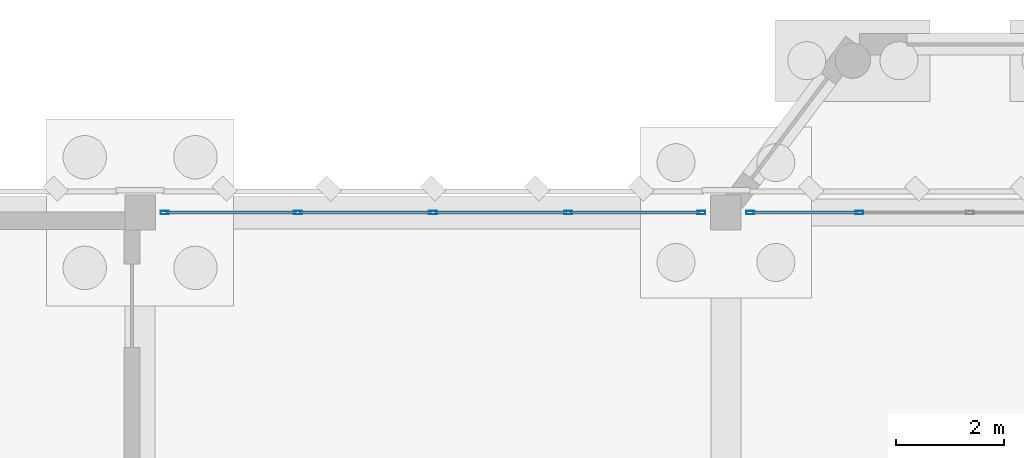
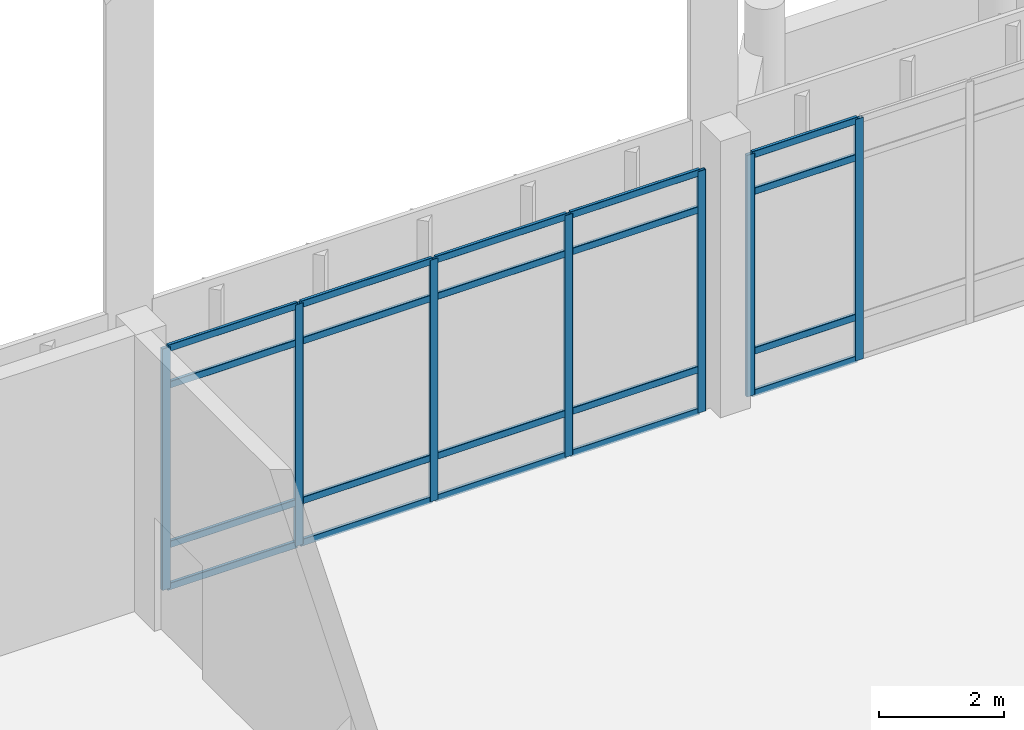
# One storey, part 53 of 109: 27 members, 2 elements without a shape of their own.
"""IFC4 building model written with IfcOpenShell, lengths in metres."""

from ifc_helpers import new_model, si_unit, direction, frame, origin, origin_2d, place, context, subcontext, project, spatial, hollow_rectangle, extrude, material, material_profile, profile_set, type_object, element, aggregate, save


model = new_model("IFC4")

# Units and contexts
model_context = context("Model", 3, precision=1e-05, world=origin(), true_north=direction((0.0, 1.0)))
body_context = subcontext(model_context, "Body", "Model", "MODEL_VIEW")
ifc_project = project(units=[si_unit("LENGTHUNIT", "METRE"), si_unit("AREAUNIT", "SQUARE_METRE"), si_unit("VOLUMEUNIT", "CUBIC_METRE"), si_unit("PLANEANGLEUNIT", "RADIAN"), si_unit("MASSUNIT", "GRAM", prefix="KILO")], contexts=[model_context])

# Site, building, storey
site_placement = place(None, origin())
site = spatial("IfcSite", under=ifc_project, at=site_placement, CompositionType="ELEMENT")
building_placement = place(site_placement, origin())
building = spatial("IfcBuilding", under=site, at=building_placement, Name="Lusvemor Sports Hall", CompositionType="ELEMENT")
storey_placement = place(building_placement, origin())
storey = spatial("IfcBuildingStorey", under=building, at=storey_placement, Name="L00", CompositionType="ELEMENT", Elevation=0.0)

# Curtain wall, members
ifc_material_1 = material(Name="Thermally broken bronze-anodized aluminium", Category="aluminium")
curtain_wall_type = type_object("IfcCurtainWallType", Name="CW_WING_B", PredefinedType="NOTDEFINED", material=ifc_material_1)
curtain_wall_1_placement = place(storey_placement, origin())
curtain_wall_1 = element("IfcCurtainWall", 1, at=curtain_wall_1_placement, inside=storey, type_object=curtain_wall_type, Name="Curtain Wall CW-L00-N-1-6", PredefinedType="NOTDEFINED")
ifc_material_2 = material(Name="Thermally broken bronze-anodized aluminium", Category="aluminium")
ifc_material_profile_1 = material_profile(ifc_material_2, hollow_rectangle(XDim=0.06494140625, YDim=0.14990234375, WallThickness=0.00390625, InnerFilletRadius=0.00390625, OuterFilletRadius=0.008056640625, at=origin_2d()), Name="CWMUL150x65x4")
ifc_profile_set_1 = profile_set([ifc_material_profile_1], Name="Thermally broken bronze-anodized aluminium")
member_type_1 = type_object("IfcMemberType", Name="CW_MUL_B", PredefinedType="MULLION", material=ifc_profile_set_1)
member_1_placement = place(storey_placement, frame((65.25244140625, 115.199951171875, 0.0), z_axis=(0.0, 0.0, 1.0), x_axis=(0.0, 1.0, 0.0)))
member_1 = element("IfcMember", 2, at=member_1_placement, type_object=member_type_1, Name="CW02 mullion 1", PredefinedType="MULLION", context=body_context, shape_type="SweptSolid", body=[
    extrude(hollow_rectangle(XDim=0.06494140625, YDim=0.14990234375, WallThickness=0.00390625, InnerFilletRadius=0.00390625, OuterFilletRadius=0.008056640625, at=origin_2d()), origin(), (0.0, 0.0, 1.0), 4.719970703125),
])
member_2_placement = place(storey_placement, frame((67.7099609375, 115.199951171875, 0.0), z_axis=(0.0, 0.0, 1.0), x_axis=(0.0, 1.0, 0.0)))
member_2 = element("IfcMember", 3, at=member_2_placement, type_object=member_type_1, Name="CW02 mullion 2", PredefinedType="MULLION", context=body_context, shape_type="SweptSolid", body=[
    extrude(hollow_rectangle(XDim=0.06494140625, YDim=0.14990234375, WallThickness=0.00390625, InnerFilletRadius=0.00390625, OuterFilletRadius=0.008056640625, at=origin_2d()), origin(), (0.0, 0.0, 1.0), 4.719970703125),
])
member_3_placement = place(storey_placement, frame((70.199951171875, 115.199951171875, 0.0), z_axis=(0.0, 0.0, 1.0), x_axis=(0.0, 1.0, 0.0)))
member_3 = element("IfcMember", 4, at=member_3_placement, type_object=member_type_1, Name="CW02 mullion 3", PredefinedType="MULLION", context=body_context, shape_type="SweptSolid", body=[
    extrude(hollow_rectangle(XDim=0.06494140625, YDim=0.14990234375, WallThickness=0.00390625, InnerFilletRadius=0.00390625, OuterFilletRadius=0.008056640625, at=origin_2d()), origin(), (0.0, 0.0, 1.0), 4.719970703125),
])
member_4_placement = place(storey_placement, frame((72.68994140625, 115.199951171875, 0.0), z_axis=(0.0, 0.0, 1.0), x_axis=(0.0, 1.0, 0.0)))
member_4 = element("IfcMember", 5, at=member_4_placement, type_object=member_type_1, Name="CW02 mullion 4", PredefinedType="MULLION", context=body_context, shape_type="SweptSolid", body=[
    extrude(hollow_rectangle(XDim=0.06494140625, YDim=0.14990234375, WallThickness=0.00390625, InnerFilletRadius=0.00390625, OuterFilletRadius=0.008056640625, at=origin_2d()), origin(), (0.0, 0.0, 1.0), 4.719970703125),
])
member_5_placement = place(storey_placement, frame((75.1474609375, 115.199951171875, 0.0), z_axis=(0.0, 0.0, 1.0), x_axis=(0.0, 1.0, 0.0)))
member_5 = element("IfcMember", 6, at=member_5_placement, type_object=member_type_1, Name="CW02 mullion 5", PredefinedType="MULLION", context=body_context, shape_type="SweptSolid", body=[
    extrude(hollow_rectangle(XDim=0.06494140625, YDim=0.14990234375, WallThickness=0.00390625, InnerFilletRadius=0.00390625, OuterFilletRadius=0.008056640625, at=origin_2d()), origin(), (0.0, 0.0, 1.0), 4.719970703125),
])

curtain_wall_2_placement = place(storey_placement, origin())
curtain_wall_2 = element("IfcCurtainWall", 7, at=curtain_wall_2_placement, inside=storey, type_object=curtain_wall_type, Name="Curtain Wall CW-L00-N-1-7", PredefinedType="NOTDEFINED")
member_6_placement = place(storey_placement, frame((76.052490234375, 115.199951171875, 0.0), z_axis=(0.0, 0.0, 1.0), x_axis=(0.0, 1.0, 0.0)))
member_6 = element("IfcMember", 8, at=member_6_placement, type_object=member_type_1, Name="CW02 mullion 1", PredefinedType="MULLION", context=body_context, shape_type="SweptSolid", body=[
    extrude(hollow_rectangle(XDim=0.06494140625, YDim=0.14990234375, WallThickness=0.00390625, InnerFilletRadius=0.00390625, OuterFilletRadius=0.008056640625, at=origin_2d()), origin(), (0.0, 0.0, 1.0), 4.719970703125),
])
member_7_placement = place(storey_placement, frame((78.06005859375, 115.199951171875, 0.0), z_axis=(0.0, 0.0, 1.0), x_axis=(0.0, 1.0, 0.0)))
member_7 = element("IfcMember", 9, at=member_7_placement, type_object=member_type_1, Name="CW02 mullion 2", PredefinedType="MULLION", context=body_context, shape_type="SweptSolid", body=[
    extrude(hollow_rectangle(XDim=0.06494140625, YDim=0.14990234375, WallThickness=0.00390625, InnerFilletRadius=0.00390625, OuterFilletRadius=0.008056640625, at=origin_2d()), origin(), (0.0, 0.0, 1.0), 4.719970703125),
])

# Member
ifc_material_3 = material(Name="Thermally broken bronze-anodized aluminium", Category="aluminium")
ifc_material_profile_2 = material_profile(ifc_material_3, hollow_rectangle(XDim=0.06005859375, YDim=0.135009765625, WallThickness=0.00390625, InnerFilletRadius=0.00390625, OuterFilletRadius=0.008056640625, at=origin_2d()), Name="CWTRN135x60x4")
ifc_profile_set_2 = profile_set([ifc_material_profile_2], Name="Thermally broken bronze-anodized aluminium")
member_type_2 = type_object("IfcMemberType", Name="CW_TRN_B", PredefinedType="USERDEFINED", material=ifc_profile_set_2)
member_8_placement = place(storey_placement, frame((65.284912109375, 115.199951171875, 0.030029296875), z_axis=(1.0, 0.0, 0.0), x_axis=(0.0, 1.0, 0.0)))
member_8 = element("IfcMember", 10, at=member_8_placement, type_object=member_type_2, Name="CW02 transom 1.1", ObjectType="TRANSOM", PredefinedType="USERDEFINED", context=body_context, shape_type="SweptSolid", body=[
    extrude(hollow_rectangle(XDim=0.06005859375, YDim=0.135009765625, WallThickness=0.00390625, InnerFilletRadius=0.00390625, OuterFilletRadius=0.008056640625, at=origin_2d()), origin(), (0.0, 0.0, 1.0), 2.392578125),
])

member_9_placement = place(storey_placement, frame((65.284912109375, 115.199951171875, 0.85009765625), z_axis=(1.0, 0.0, 0.0), x_axis=(0.0, 1.0, 0.0)))
member_9 = element("IfcMember", 11, at=member_9_placement, type_object=member_type_2, Name="CW02 transom 1.2", ObjectType="TRANSOM", PredefinedType="USERDEFINED", context=body_context, shape_type="SweptSolid", body=[
    extrude(hollow_rectangle(XDim=0.06005859375, YDim=0.135009765625, WallThickness=0.00390625, InnerFilletRadius=0.00390625, OuterFilletRadius=0.008056640625, at=origin_2d()), origin(), (0.0, 0.0, 1.0), 2.392578125),
])

member_10_placement = place(storey_placement, frame((65.284912109375, 115.199951171875, 3.969970703125), z_axis=(1.0, 0.0, 0.0), x_axis=(0.0, 1.0, 0.0)))
member_10 = element("IfcMember", 12, at=member_10_placement, type_object=member_type_2, Name="CW02 transom 1.3", ObjectType="TRANSOM", PredefinedType="USERDEFINED", context=body_context, shape_type="SweptSolid", body=[
    extrude(hollow_rectangle(XDim=0.06005859375, YDim=0.135009765625, WallThickness=0.00390625, InnerFilletRadius=0.00390625, OuterFilletRadius=0.008056640625, at=origin_2d()), origin(), (0.0, 0.0, 1.0), 2.392578125),
])

member_11_placement = place(storey_placement, frame((65.284912109375, 115.199951171875, 4.68994140625), z_axis=(1.0, 0.0, 0.0), x_axis=(0.0, 1.0, 0.0)))
member_11 = element("IfcMember", 13, at=member_11_placement, type_object=member_type_2, Name="CW02 transom 1.4", ObjectType="TRANSOM", PredefinedType="USERDEFINED", context=body_context, shape_type="SweptSolid", body=[
    extrude(hollow_rectangle(XDim=0.06005859375, YDim=0.135009765625, WallThickness=0.00390625, InnerFilletRadius=0.00390625, OuterFilletRadius=0.008056640625, at=origin_2d()), origin(), (0.0, 0.0, 1.0), 2.392578125),
])

member_12_placement = place(storey_placement, frame((67.742431640625, 115.199951171875, 0.030029296875), z_axis=(1.0, 0.0, 0.0), x_axis=(0.0, 1.0, 0.0)))
member_12 = element("IfcMember", 14, at=member_12_placement, type_object=member_type_2, Name="CW02 transom 2.1", ObjectType="TRANSOM", PredefinedType="USERDEFINED", context=body_context, shape_type="SweptSolid", body=[
    extrude(hollow_rectangle(XDim=0.06005859375, YDim=0.135009765625, WallThickness=0.00390625, InnerFilletRadius=0.00390625, OuterFilletRadius=0.008056640625, at=origin_2d()), origin(), (0.0, 0.0, 1.0), 2.425048828125),
])

member_13_placement = place(storey_placement, frame((67.742431640625, 115.199951171875, 0.85009765625), z_axis=(1.0, 0.0, 0.0), x_axis=(0.0, 1.0, 0.0)))
member_13 = element("IfcMember", 15, at=member_13_placement, type_object=member_type_2, Name="CW02 transom 2.2", ObjectType="TRANSOM", PredefinedType="USERDEFINED", context=body_context, shape_type="SweptSolid", body=[
    extrude(hollow_rectangle(XDim=0.06005859375, YDim=0.135009765625, WallThickness=0.00390625, InnerFilletRadius=0.00390625, OuterFilletRadius=0.008056640625, at=origin_2d()), origin(), (0.0, 0.0, 1.0), 2.425048828125),
])

member_14_placement = place(storey_placement, frame((67.742431640625, 115.199951171875, 3.969970703125), z_axis=(1.0, 0.0, 0.0), x_axis=(0.0, 1.0, 0.0)))
member_14 = element("IfcMember", 16, at=member_14_placement, type_object=member_type_2, Name="CW02 transom 2.3", ObjectType="TRANSOM", PredefinedType="USERDEFINED", context=body_context, shape_type="SweptSolid", body=[
    extrude(hollow_rectangle(XDim=0.06005859375, YDim=0.135009765625, WallThickness=0.00390625, InnerFilletRadius=0.00390625, OuterFilletRadius=0.008056640625, at=origin_2d()), origin(), (0.0, 0.0, 1.0), 2.425048828125),
])

member_15_placement = place(storey_placement, frame((67.742431640625, 115.199951171875, 4.68994140625), z_axis=(1.0, 0.0, 0.0), x_axis=(0.0, 1.0, 0.0)))
member_15 = element("IfcMember", 17, at=member_15_placement, type_object=member_type_2, Name="CW02 transom 2.4", ObjectType="TRANSOM", PredefinedType="USERDEFINED", context=body_context, shape_type="SweptSolid", body=[
    extrude(hollow_rectangle(XDim=0.06005859375, YDim=0.135009765625, WallThickness=0.00390625, InnerFilletRadius=0.00390625, OuterFilletRadius=0.008056640625, at=origin_2d()), origin(), (0.0, 0.0, 1.0), 2.425048828125),
])

member_16_placement = place(storey_placement, frame((70.232421875, 115.199951171875, 0.030029296875), z_axis=(1.0, 0.0, 0.0), x_axis=(0.0, 1.0, 0.0)))
member_16 = element("IfcMember", 18, at=member_16_placement, type_object=member_type_2, Name="CW02 transom 3.1", ObjectType="TRANSOM", PredefinedType="USERDEFINED", context=body_context, shape_type="SweptSolid", body=[
    extrude(hollow_rectangle(XDim=0.06005859375, YDim=0.135009765625, WallThickness=0.00390625, InnerFilletRadius=0.00390625, OuterFilletRadius=0.008056640625, at=origin_2d()), origin(), (0.0, 0.0, 1.0), 2.425048828125),
])

member_17_placement = place(storey_placement, frame((70.232421875, 115.199951171875, 0.85009765625), z_axis=(1.0, 0.0, 0.0), x_axis=(0.0, 1.0, 0.0)))
member_17 = element("IfcMember", 19, at=member_17_placement, type_object=member_type_2, Name="CW02 transom 3.2", ObjectType="TRANSOM", PredefinedType="USERDEFINED", context=body_context, shape_type="SweptSolid", body=[
    extrude(hollow_rectangle(XDim=0.06005859375, YDim=0.135009765625, WallThickness=0.00390625, InnerFilletRadius=0.00390625, OuterFilletRadius=0.008056640625, at=origin_2d()), origin(), (0.0, 0.0, 1.0), 2.425048828125),
])

member_18_placement = place(storey_placement, frame((70.232421875, 115.199951171875, 3.969970703125), z_axis=(1.0, 0.0, 0.0), x_axis=(0.0, 1.0, 0.0)))
member_18 = element("IfcMember", 20, at=member_18_placement, type_object=member_type_2, Name="CW02 transom 3.3", ObjectType="TRANSOM", PredefinedType="USERDEFINED", context=body_context, shape_type="SweptSolid", body=[
    extrude(hollow_rectangle(XDim=0.06005859375, YDim=0.135009765625, WallThickness=0.00390625, InnerFilletRadius=0.00390625, OuterFilletRadius=0.008056640625, at=origin_2d()), origin(), (0.0, 0.0, 1.0), 2.425048828125),
])

member_19_placement = place(storey_placement, frame((70.232421875, 115.199951171875, 4.68994140625), z_axis=(1.0, 0.0, 0.0), x_axis=(0.0, 1.0, 0.0)))
member_19 = element("IfcMember", 21, at=member_19_placement, type_object=member_type_2, Name="CW02 transom 3.4", ObjectType="TRANSOM", PredefinedType="USERDEFINED", context=body_context, shape_type="SweptSolid", body=[
    extrude(hollow_rectangle(XDim=0.06005859375, YDim=0.135009765625, WallThickness=0.00390625, InnerFilletRadius=0.00390625, OuterFilletRadius=0.008056640625, at=origin_2d()), origin(), (0.0, 0.0, 1.0), 2.425048828125),
])

member_20_placement = place(storey_placement, frame((72.722412109375, 115.199951171875, 0.030029296875), z_axis=(1.0, 0.0, 0.0), x_axis=(0.0, 1.0, 0.0)))
member_20 = element("IfcMember", 22, at=member_20_placement, type_object=member_type_2, Name="CW02 transom 4.1", ObjectType="TRANSOM", PredefinedType="USERDEFINED", context=body_context, shape_type="SweptSolid", body=[
    extrude(hollow_rectangle(XDim=0.06005859375, YDim=0.135009765625, WallThickness=0.00390625, InnerFilletRadius=0.00390625, OuterFilletRadius=0.008056640625, at=origin_2d()), origin(), (0.0, 0.0, 1.0), 2.392578125),
])

member_21_placement = place(storey_placement, frame((72.722412109375, 115.199951171875, 0.85009765625), z_axis=(1.0, 0.0, 0.0), x_axis=(0.0, 1.0, 0.0)))
member_21 = element("IfcMember", 23, at=member_21_placement, type_object=member_type_2, Name="CW02 transom 4.2", ObjectType="TRANSOM", PredefinedType="USERDEFINED", context=body_context, shape_type="SweptSolid", body=[
    extrude(hollow_rectangle(XDim=0.06005859375, YDim=0.135009765625, WallThickness=0.00390625, InnerFilletRadius=0.00390625, OuterFilletRadius=0.008056640625, at=origin_2d()), origin(), (0.0, 0.0, 1.0), 2.392578125),
])

member_22_placement = place(storey_placement, frame((72.722412109375, 115.199951171875, 3.969970703125), z_axis=(1.0, 0.0, 0.0), x_axis=(0.0, 1.0, 0.0)))
member_22 = element("IfcMember", 24, at=member_22_placement, type_object=member_type_2, Name="CW02 transom 4.3", ObjectType="TRANSOM", PredefinedType="USERDEFINED", context=body_context, shape_type="SweptSolid", body=[
    extrude(hollow_rectangle(XDim=0.06005859375, YDim=0.135009765625, WallThickness=0.00390625, InnerFilletRadius=0.00390625, OuterFilletRadius=0.008056640625, at=origin_2d()), origin(), (0.0, 0.0, 1.0), 2.392578125),
])

member_23_placement = place(storey_placement, frame((72.722412109375, 115.199951171875, 4.68994140625), z_axis=(1.0, 0.0, 0.0), x_axis=(0.0, 1.0, 0.0)))
member_23 = element("IfcMember", 25, at=member_23_placement, type_object=member_type_2, Name="CW02 transom 4.4", ObjectType="TRANSOM", PredefinedType="USERDEFINED", context=body_context, shape_type="SweptSolid", body=[
    extrude(hollow_rectangle(XDim=0.06005859375, YDim=0.135009765625, WallThickness=0.00390625, InnerFilletRadius=0.00390625, OuterFilletRadius=0.008056640625, at=origin_2d()), origin(), (0.0, 0.0, 1.0), 2.392578125),
])

aggregate(curtain_wall_1, [member_1, member_2, member_3, member_4, member_5, member_8, member_9, member_10, member_11, member_12, member_13, member_14, member_15, member_16, member_17, member_18, member_19, member_20, member_21, member_22, member_23])

member_24_placement = place(storey_placement, frame((76.0849609375, 115.199951171875, 0.030029296875), z_axis=(1.0, 0.0, 0.0), x_axis=(0.0, 1.0, 0.0)))
member_24 = element("IfcMember", 26, at=member_24_placement, type_object=member_type_2, Name="CW02 transom 1.1", ObjectType="TRANSOM", PredefinedType="USERDEFINED", context=body_context, shape_type="SweptSolid", body=[
    extrude(hollow_rectangle(XDim=0.06005859375, YDim=0.135009765625, WallThickness=0.00390625, InnerFilletRadius=0.00390625, OuterFilletRadius=0.008056640625, at=origin_2d()), origin(), (0.0, 0.0, 1.0), 1.942626953125),
])

member_25_placement = place(storey_placement, frame((76.0849609375, 115.199951171875, 0.85009765625), z_axis=(1.0, 0.0, 0.0), x_axis=(0.0, 1.0, 0.0)))
member_25 = element("IfcMember", 27, at=member_25_placement, type_object=member_type_2, Name="CW02 transom 1.2", ObjectType="TRANSOM", PredefinedType="USERDEFINED", context=body_context, shape_type="SweptSolid", body=[
    extrude(hollow_rectangle(XDim=0.06005859375, YDim=0.135009765625, WallThickness=0.00390625, InnerFilletRadius=0.00390625, OuterFilletRadius=0.008056640625, at=origin_2d()), origin(), (0.0, 0.0, 1.0), 1.942626953125),
])

member_26_placement = place(storey_placement, frame((76.0849609375, 115.199951171875, 3.969970703125), z_axis=(1.0, 0.0, 0.0), x_axis=(0.0, 1.0, 0.0)))
member_26 = element("IfcMember", 28, at=member_26_placement, type_object=member_type_2, Name="CW02 transom 1.3", ObjectType="TRANSOM", PredefinedType="USERDEFINED", context=body_context, shape_type="SweptSolid", body=[
    extrude(hollow_rectangle(XDim=0.06005859375, YDim=0.135009765625, WallThickness=0.00390625, InnerFilletRadius=0.00390625, OuterFilletRadius=0.008056640625, at=origin_2d()), origin(), (0.0, 0.0, 1.0), 1.942626953125),
])

member_27_placement = place(storey_placement, frame((76.0849609375, 115.199951171875, 4.68994140625), z_axis=(1.0, 0.0, 0.0), x_axis=(0.0, 1.0, 0.0)))
member_27 = element("IfcMember", 29, at=member_27_placement, type_object=member_type_2, Name="CW02 transom 1.4", ObjectType="TRANSOM", PredefinedType="USERDEFINED", context=body_context, shape_type="SweptSolid", body=[
    extrude(hollow_rectangle(XDim=0.06005859375, YDim=0.135009765625, WallThickness=0.00390625, InnerFilletRadius=0.00390625, OuterFilletRadius=0.008056640625, at=origin_2d()), origin(), (0.0, 0.0, 1.0), 1.942626953125),
])

aggregate(curtain_wall_2, [member_6, member_7, member_24, member_25, member_26, member_27])

save(model, "model.ifc")
